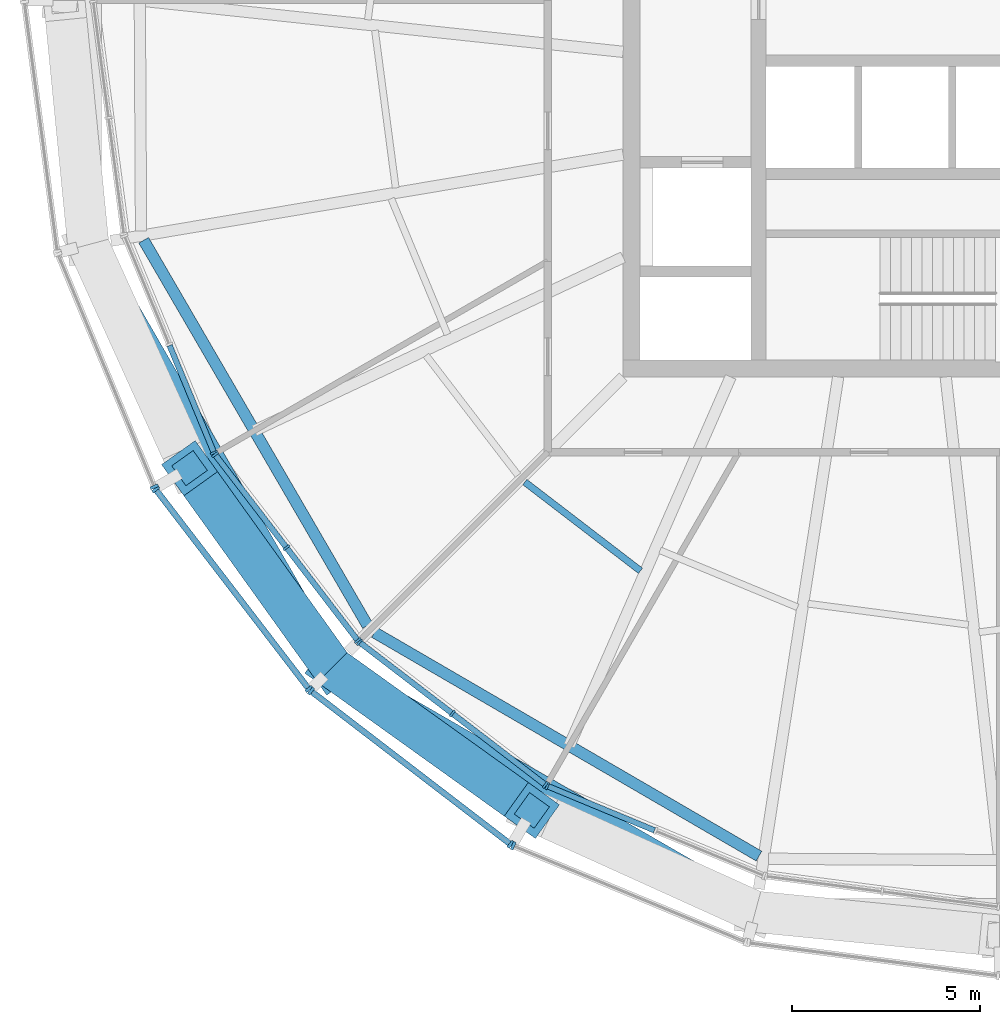
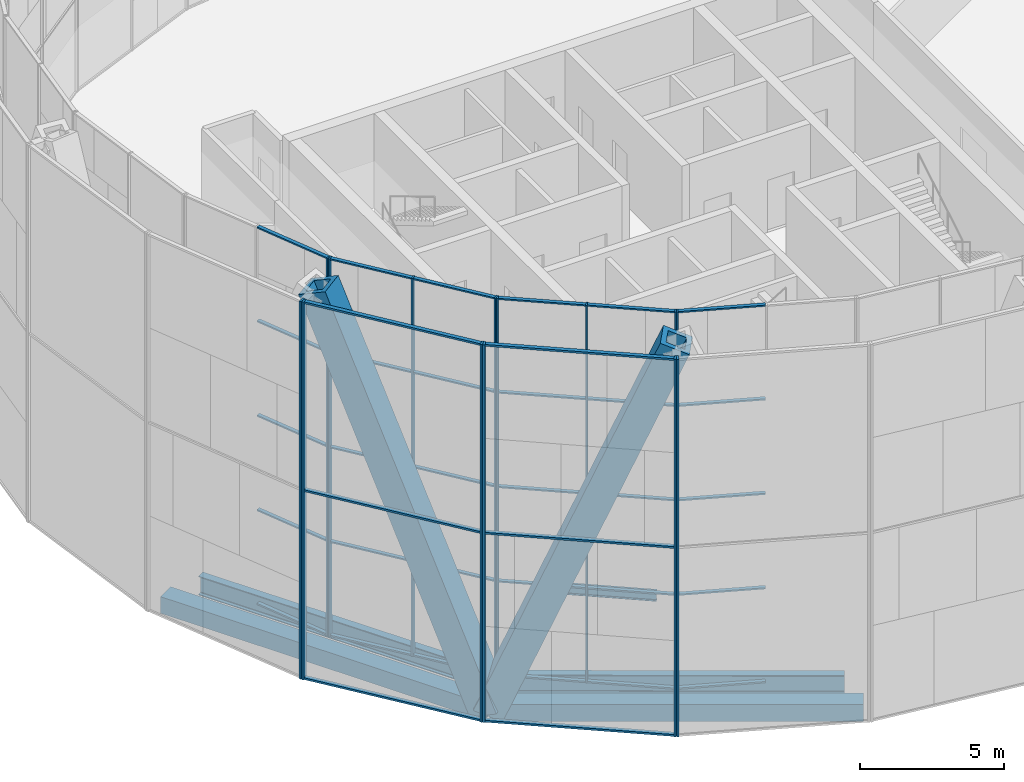
# One storey, part 1 of 30: 52 members, 5 beams, 8 elements without a shape of their own.
"""IFC4 building model written with IfcOpenShell, lengths in metres."""

from ifc_helpers import new_model, si_unit, direction, frame, origin, origin_2d, place, context, subcontext, project, spatial, rectangle, hollow_rectangle, i_section, extrude, material, material_profile, profile_set, type_object, element, aggregate, save


model = new_model("IFC4")

# Units and contexts
model_context = context("Model", 3, precision=1e-05, world=origin(), true_north=direction((0.0, 1.0)))
body_context = subcontext(model_context, "Body", "Model", "MODEL_VIEW")
ifc_project = project(units=[si_unit("LENGTHUNIT", "METRE"), si_unit("AREAUNIT", "SQUARE_METRE"), si_unit("VOLUMEUNIT", "CUBIC_METRE"), si_unit("PLANEANGLEUNIT", "RADIAN"), si_unit("MASSUNIT", "GRAM", prefix="KILO")], contexts=[model_context])

# Site, building, storey
site_placement = place(None, origin())
site = spatial("IfcSite", under=ifc_project, at=site_placement, CompositionType="ELEMENT")
building_placement = place(site_placement, origin())
building = spatial("IfcBuilding", under=site, at=building_placement, Name="Golbaran Civic Tower", CompositionType="ELEMENT")
storey_placement = place(building_placement, frame((0.0, 0.0, 167.0)))
storey = spatial("IfcBuildingStorey", under=building, at=storey_placement, Name="L40", CompositionType="ELEMENT", Elevation=167.0)

# Members
ifc_material_1 = material(Name="Steel S355", Category="steel")
ifc_material_profile_1 = material_profile(ifc_material_1, hollow_rectangle(XDim=1.10009765625, YDim=1.10009765625, WallThickness=0.199951171875, at=origin_2d()), Name="BOX 1100x1100x200")
ifc_profile_set_1 = profile_set([ifc_material_profile_1], Name="Steel S355")
member_type_1 = type_object("IfcMemberType", Name="DIAGRID DIAGONAL BOX 1100x1100x200", PredefinedType="BRACE", material=ifc_profile_set_1)
for number, where, z_axis, x_axis, name in (
    (1, (-17.72216796875, -17.72216796875, -0.7099609375), (0.306689856884, -0.21971220084, 0.926103601379), (0.582374990121, 0.812920273386, 0.0), "Diagonal D09-07R L40-L44"),
    (2, (-17.72216796875, -17.72216796875, -0.7099609375), (-0.21971220084, 0.306689856884, 0.926103601379), (-0.812920273386, -0.582374990121, 0.0), "Diagonal D09-07L L40-L44"),
):
    element("IfcMember", number, at=place(storey_placement, frame(where, z_axis=z_axis, x_axis=x_axis)), inside=storey, type_object=member_type_1, Name=name, PredefinedType="BRACE", context=body_context, shape_type="SweptSolid", body=[
        extrude(hollow_rectangle(XDim=1.10009765625, YDim=1.10009765625, WallThickness=0.199951171875, at=origin_2d()), origin(), (0.0, 0.0, 1.0), 17.276611328125),
    ])

# Beams
ifc_material_profile_2 = material_profile(ifc_material_1, hollow_rectangle(XDim=0.699951171875, YDim=0.699951171875, WallThickness=0.080078125, at=origin_2d()), Name="BOX 700x700x80")
ifc_profile_set_2 = profile_set([ifc_material_profile_2], Name="Steel S355")
beam_type_1 = type_object("IfcBeamType", Name="DIAGRID RING TIE BOX 700x700x80", PredefinedType="BEAM", material=ifc_profile_set_2)
for number, where, z_axis, x_axis, name in (
    (3, (-24.208984375, -6.48681640625, -0.7099609375), (0.50000480732, -0.866022628259, 0.0), (0.866022628259, 0.50000480732, 0.0), "Ring tie 195.00 L40"),
    (4, (-17.72216796875, -17.72216796875, -0.7099609375), (0.866022628259, -0.50000480732, 0.0), (0.50000480732, 0.866022628259, 0.0), "Ring tie 225.00 L40"),
):
    element("IfcBeam", number, at=place(storey_placement, frame(where, z_axis=z_axis, x_axis=x_axis)), inside=storey, type_object=beam_type_1, Name=name, PredefinedType="BEAM", context=body_context, shape_type="SweptSolid", body=[
        extrude(hollow_rectangle(XDim=0.699951171875, YDim=0.699951171875, WallThickness=0.080078125, at=origin_2d()), origin(), (0.0, 0.0, 1.0), 12.973388671875),
    ])
ifc_material_profile_3 = material_profile(ifc_material_1, i_section(OverallWidth=0.300048828125, OverallDepth=0.800048828125, WebThickness=0.017578125, FlangeThickness=0.032958984375, FilletRadius=0.030029296875, at=origin_2d()), Name="HEB 800")
ifc_profile_set_3 = profile_set([ifc_material_profile_3], Name="Steel S355")
beam_type_2 = type_object("IfcBeamType", Name="EDGE BEAM HEB 800", PredefinedType="BEAM", material=ifc_profile_set_3)
beam_1_placement = place(storey_placement, frame((-22.736083984375, -6.370361328125, -0.60009765625), z_axis=(0.502449452152, -0.864606585698, 0.0), x_axis=(0.864606585698, 0.502449452152, 0.0)))
element("IfcBeam", 5, at=beam_1_placement, inside=storey, type_object=beam_type_2, Name="Edge beam 195.00 L40", PredefinedType="BEAM", context=body_context, shape_type="SweptSolid", body=[
    extrude(i_section(OverallWidth=0.300048828125, OverallDepth=0.800048828125, WebThickness=0.017578125, FlangeThickness=0.032958984375, FilletRadius=0.030029296875, at=origin_2d()), origin(), (0.0, 0.0, 1.0), 11.8369140625),
])
beam_2_placement = place(storey_placement, frame((-16.604736328125, -16.78857421875, -0.60009765625), z_axis=(0.864397150996, -0.502809671098, 0.0), x_axis=(0.502809671098, 0.864397150996, 0.0)))
element("IfcBeam", 6, at=beam_2_placement, inside=storey, type_object=beam_type_2, Name="Edge beam 225.00 L40", PredefinedType="BEAM", context=body_context, shape_type="SweptSolid", body=[
    extrude(i_section(OverallWidth=0.300048828125, OverallDepth=0.800048828125, WebThickness=0.017578125, FlangeThickness=0.032958984375, FilletRadius=0.030029296875, at=origin_2d()), origin(), (0.0, 0.0, 1.0), 11.81787109375),
])
ifc_material_profile_4 = material_profile(ifc_material_1, i_section(OverallWidth=0.179931640625, OverallDepth=0.39990234375, WebThickness=0.008544921875, FlangeThickness=0.013427734375, FilletRadius=0.02099609375, at=origin_2d()), Name="IPE 400")
ifc_profile_set_4 = profile_set([ifc_material_profile_4], Name="Steel S355")
beam_type_3 = type_object("IfcBeamType", Name="FLOOR INFILL BEAM IPE 400", PredefinedType="BEAM", material=ifc_profile_set_4)
beam_3_placement = place(storey_placement, frame((-12.610107421875, -12.7939453125, -0.39990234375), z_axis=(0.793375902888, -0.608732023732, 0.0), x_axis=(0.608732023732, 0.793375902888, 0.0)))
element("IfcBeam", 7, at=beam_3_placement, inside=storey, type_object=beam_type_3, Name="Infill beam 232.50 L40", PredefinedType="BEAM", context=body_context, shape_type="SweptSolid", body=[
    extrude(i_section(OverallWidth=0.179931640625, OverallDepth=0.39990234375, WebThickness=0.008544921875, FlangeThickness=0.013427734375, FilletRadius=0.02099609375, at=origin_2d()), origin(), (0.0, 0.0, 1.0), 3.87158203125),
])

# Curtain wall, member
ifc_material_2 = material(Name="Aluminium and glass", Category="aluminium")
curtain_wall_type_1 = type_object("IfcCurtainWallType", Name="INNER SKIN CURTAIN WALL EXECUTIVE", PredefinedType="NOTDEFINED", material=ifc_material_2)
curtain_wall_1_placement = place(storey_placement, origin())
curtain_wall_1 = element("IfcCurtainWall", 8, at=curtain_wall_1_placement, inside=storey, type_object=curtain_wall_type_1, Name="Inner skin L40 facet 14 CW2", ObjectType="INNER SKIN", PredefinedType="USERDEFINED")
ifc_material_3 = material(Name="Aluminium", Category="aluminium")
ifc_material_profile_5 = material_profile(ifc_material_3, rectangle(XDim=0.199951171875, YDim=0.06005859375, at=origin_2d()), Name="INNER SKIN CURTAIN WALL EXECUTIVE MULLION")
ifc_profile_set_5 = profile_set([ifc_material_profile_5], Name="Aluminium")
member_type_2 = type_object("IfcMemberType", Name="INNER SKIN CURTAIN WALL EXECUTIVE MULLION", PredefinedType="MULLION", material=ifc_profile_set_5)
member_1_placement = place(storey_placement, frame((-20.867919921875, -12.013671875, 0.0), z_axis=(0.0, 0.0, 1.0), x_axis=(0.923879532471, 0.382683432462, 0.0)))
member_1 = element("IfcMember", 9, at=member_1_placement, type_object=member_type_2, Name="CW2 mullion 3", PredefinedType="MULLION", context=body_context, shape_type="SweptSolid", body=[
    extrude(rectangle(XDim=0.199951171875, YDim=0.06005859375, at=origin_2d()), origin(), (0.0, 0.0, 1.0), 16.0),
])

# Curtain wall, members
curtain_wall_2_placement = place(storey_placement, origin())
curtain_wall_2 = element("IfcCurtainWall", 10, at=curtain_wall_2_placement, inside=storey, type_object=curtain_wall_type_1, Name="Inner skin L40 facet 15 CW2", ObjectType="INNER SKIN", PredefinedType="USERDEFINED")
member_2_placement = place(storey_placement, frame((-20.838134765625, -12.065185546875, 0.0), z_axis=(0.0, 0.0, 1.0), x_axis=(0.79335334027, 0.608761429036, 0.0)))
member_2 = element("IfcMember", 11, at=member_2_placement, type_object=member_type_2, Name="CW2 mullion 1", PredefinedType="MULLION", context=body_context, shape_type="SweptSolid", body=[
    extrude(rectangle(XDim=0.199951171875, YDim=0.06005859375, at=origin_2d()), origin(), (0.0, 0.0, 1.0), 16.0),
])
member_3_placement = place(storey_placement, frame((-18.94287109375, -14.535400390625, 0.0), z_axis=(0.0, 0.0, 1.0), x_axis=(0.79335334027, 0.608761429036, 0.0)))
member_3 = element("IfcMember", 12, at=member_3_placement, type_object=member_type_2, Name="CW2 mullion 2", PredefinedType="MULLION", context=body_context, shape_type="SweptSolid", body=[
    extrude(rectangle(XDim=0.199951171875, YDim=0.06005859375, at=origin_2d()), origin(), (0.0, 0.0, 1.0), 16.0),
])
member_4_placement = place(storey_placement, frame((-17.047607421875, -17.00537109375, 0.0), z_axis=(0.0, 0.0, 1.0), x_axis=(0.79335334027, 0.608761429036, 0.0)))
member_4 = element("IfcMember", 13, at=member_4_placement, type_object=member_type_2, Name="CW2 mullion 3", PredefinedType="MULLION", context=body_context, shape_type="SweptSolid", body=[
    extrude(rectangle(XDim=0.199951171875, YDim=0.06005859375, at=origin_2d()), origin(), (0.0, 0.0, 1.0), 16.0),
])

curtain_wall_3_placement = place(storey_placement, origin())
curtain_wall_3 = element("IfcCurtainWall", 14, at=curtain_wall_3_placement, inside=storey, type_object=curtain_wall_type_1, Name="Inner skin L40 facet 16 CW2", ObjectType="INNER SKIN", PredefinedType="USERDEFINED")
member_5_placement = place(storey_placement, frame((-17.00537109375, -17.047607421875, 0.0), z_axis=(0.0, 0.0, 1.0), x_axis=(0.608761429036, 0.79335334027, 0.0)))
member_5 = element("IfcMember", 15, at=member_5_placement, type_object=member_type_2, Name="CW2 mullion 1", PredefinedType="MULLION", context=body_context, shape_type="SweptSolid", body=[
    extrude(rectangle(XDim=0.199951171875, YDim=0.06005859375, at=origin_2d()), origin(), (0.0, 0.0, 1.0), 16.0),
])
member_6_placement = place(storey_placement, frame((-14.535400390625, -18.94287109375, 0.0), z_axis=(0.0, 0.0, 1.0), x_axis=(0.608761429036, 0.79335334027, 0.0)))
member_6 = element("IfcMember", 16, at=member_6_placement, type_object=member_type_2, Name="CW2 mullion 2", PredefinedType="MULLION", context=body_context, shape_type="SweptSolid", body=[
    extrude(rectangle(XDim=0.199951171875, YDim=0.06005859375, at=origin_2d()), origin(), (0.0, 0.0, 1.0), 16.0),
])
member_7_placement = place(storey_placement, frame((-12.065185546875, -20.838134765625, 0.0), z_axis=(0.0, 0.0, 1.0), x_axis=(0.608761429036, 0.79335334027, 0.0)))
member_7 = element("IfcMember", 17, at=member_7_placement, type_object=member_type_2, Name="CW2 mullion 3", PredefinedType="MULLION", context=body_context, shape_type="SweptSolid", body=[
    extrude(rectangle(XDim=0.199951171875, YDim=0.06005859375, at=origin_2d()), origin(), (0.0, 0.0, 1.0), 16.0),
])

# Curtain wall, member
curtain_wall_4_placement = place(storey_placement, origin())
curtain_wall_4 = element("IfcCurtainWall", 18, at=curtain_wall_4_placement, inside=storey, type_object=curtain_wall_type_1, Name="Inner skin L40 facet 17 CW2", ObjectType="INNER SKIN", PredefinedType="USERDEFINED")
member_8_placement = place(storey_placement, frame((-12.013671875, -20.867919921875, 0.0), z_axis=(0.0, 0.0, 1.0), x_axis=(0.382683432462, 0.923879532471, 0.0)))
member_8 = element("IfcMember", 19, at=member_8_placement, type_object=member_type_2, Name="CW2 mullion 1", PredefinedType="MULLION", context=body_context, shape_type="SweptSolid", body=[
    extrude(rectangle(XDim=0.199951171875, YDim=0.06005859375, at=origin_2d()), origin(), (0.0, 0.0, 1.0), 16.0),
])

# Member
ifc_material_profile_6 = material_profile(ifc_material_3, rectangle(XDim=0.14990234375, YDim=0.06005859375, at=origin_2d()), Name="INNER SKIN CURTAIN WALL EXECUTIVE TRANSOM")
ifc_profile_set_6 = profile_set([ifc_material_profile_6], Name="Aluminium")
member_type_3 = type_object("IfcMemberType", Name="INNER SKIN CURTAIN WALL EXECUTIVE TRANSOM", PredefinedType="USERDEFINED", material=ifc_profile_set_6)
member_9_placement = place(storey_placement, frame((-22.0478515625, -9.1650390625, 0.030029296875), z_axis=(0.382667209253, -0.923886252177, 0.0), x_axis=(0.923886252177, 0.382667209253, 0.0)))
member_9 = element("IfcMember", 20, at=member_9_placement, type_object=member_type_3, Name="CW2 transom 2.1", ObjectType="TRANSOM", PredefinedType="USERDEFINED", context=body_context, shape_type="SweptSolid", body=[
    extrude(rectangle(XDim=0.14990234375, YDim=0.06005859375, at=origin_2d()), origin(), (0.0, 0.0, 1.0), 3.053466796875),
])

member_10_placement = place(storey_placement, frame((-22.0478515625, -9.1650390625, 4.0), z_axis=(0.382667209253, -0.923886252177, 0.0), x_axis=(0.923886252177, 0.382667209253, 0.0)))
member_10 = element("IfcMember", 21, at=member_10_placement, type_object=member_type_3, Name="CW2 transom 2.2", ObjectType="TRANSOM", PredefinedType="USERDEFINED", context=body_context, shape_type="SweptSolid", body=[
    extrude(rectangle(XDim=0.14990234375, YDim=0.06005859375, at=origin_2d()), origin(), (0.0, 0.0, 1.0), 3.053466796875),
])

member_11_placement = place(storey_placement, frame((-22.0478515625, -9.1650390625, 8.0), z_axis=(0.382667209253, -0.923886252177, 0.0), x_axis=(0.923886252177, 0.382667209253, 0.0)))
member_11 = element("IfcMember", 22, at=member_11_placement, type_object=member_type_3, Name="CW2 transom 2.3", ObjectType="TRANSOM", PredefinedType="USERDEFINED", context=body_context, shape_type="SweptSolid", body=[
    extrude(rectangle(XDim=0.14990234375, YDim=0.06005859375, at=origin_2d()), origin(), (0.0, 0.0, 1.0), 3.053466796875),
])

member_12_placement = place(storey_placement, frame((-22.0478515625, -9.1650390625, 12.0), z_axis=(0.382667209253, -0.923886252177, 0.0), x_axis=(0.923886252177, 0.382667209253, 0.0)))
member_12 = element("IfcMember", 23, at=member_12_placement, type_object=member_type_3, Name="CW2 transom 2.4", ObjectType="TRANSOM", PredefinedType="USERDEFINED", context=body_context, shape_type="SweptSolid", body=[
    extrude(rectangle(XDim=0.14990234375, YDim=0.06005859375, at=origin_2d()), origin(), (0.0, 0.0, 1.0), 3.053466796875),
])

member_13_placement = place(storey_placement, frame((-22.0478515625, -9.1650390625, 15.969970703125), z_axis=(0.382667209253, -0.923886252177, 0.0), x_axis=(0.923886252177, 0.382667209253, 0.0)))
member_13 = element("IfcMember", 24, at=member_13_placement, type_object=member_type_3, Name="CW2 transom 2.5", ObjectType="TRANSOM", PredefinedType="USERDEFINED", context=body_context, shape_type="SweptSolid", body=[
    extrude(rectangle(XDim=0.14990234375, YDim=0.06005859375, at=origin_2d()), origin(), (0.0, 0.0, 1.0), 3.053466796875),
])

aggregate(curtain_wall_1, [member_1, member_9, member_10, member_11, member_12, member_13])

member_14_placement = place(storey_placement, frame((-20.820068359375, -12.089111328125, 0.030029296875), z_axis=(0.6087906992, -0.793330879625, 0.0), x_axis=(0.793330879625, 0.6087906992, 0.0)))
member_14 = element("IfcMember", 25, at=member_14_placement, type_object=member_type_3, Name="CW2 transom 1.1", ObjectType="TRANSOM", PredefinedType="USERDEFINED", context=body_context, shape_type="SweptSolid", body=[
    extrude(rectangle(XDim=0.14990234375, YDim=0.06005859375, at=origin_2d()), origin(), (0.0, 0.0, 1.0), 3.053466796875),
])

member_15_placement = place(storey_placement, frame((-20.820068359375, -12.089111328125, 4.0), z_axis=(0.6087906992, -0.793330879625, 0.0), x_axis=(0.793330879625, 0.6087906992, 0.0)))
member_15 = element("IfcMember", 26, at=member_15_placement, type_object=member_type_3, Name="CW2 transom 1.2", ObjectType="TRANSOM", PredefinedType="USERDEFINED", context=body_context, shape_type="SweptSolid", body=[
    extrude(rectangle(XDim=0.14990234375, YDim=0.06005859375, at=origin_2d()), origin(), (0.0, 0.0, 1.0), 3.053466796875),
])

member_16_placement = place(storey_placement, frame((-20.820068359375, -12.089111328125, 8.0), z_axis=(0.6087906992, -0.793330879625, 0.0), x_axis=(0.793330879625, 0.6087906992, 0.0)))
member_16 = element("IfcMember", 27, at=member_16_placement, type_object=member_type_3, Name="CW2 transom 1.3", ObjectType="TRANSOM", PredefinedType="USERDEFINED", context=body_context, shape_type="SweptSolid", body=[
    extrude(rectangle(XDim=0.14990234375, YDim=0.06005859375, at=origin_2d()), origin(), (0.0, 0.0, 1.0), 3.053466796875),
])

member_17_placement = place(storey_placement, frame((-20.820068359375, -12.089111328125, 12.0), z_axis=(0.6087906992, -0.793330879625, 0.0), x_axis=(0.793330879625, 0.6087906992, 0.0)))
member_17 = element("IfcMember", 28, at=member_17_placement, type_object=member_type_3, Name="CW2 transom 1.4", ObjectType="TRANSOM", PredefinedType="USERDEFINED", context=body_context, shape_type="SweptSolid", body=[
    extrude(rectangle(XDim=0.14990234375, YDim=0.06005859375, at=origin_2d()), origin(), (0.0, 0.0, 1.0), 3.053466796875),
])

member_18_placement = place(storey_placement, frame((-20.820068359375, -12.089111328125, 15.969970703125), z_axis=(0.6087906992, -0.793330879625, 0.0), x_axis=(0.793330879625, 0.6087906992, 0.0)))
member_18 = element("IfcMember", 29, at=member_18_placement, type_object=member_type_3, Name="CW2 transom 1.5", ObjectType="TRANSOM", PredefinedType="USERDEFINED", context=body_context, shape_type="SweptSolid", body=[
    extrude(rectangle(XDim=0.14990234375, YDim=0.06005859375, at=origin_2d()), origin(), (0.0, 0.0, 1.0), 3.053466796875),
])

member_19_placement = place(storey_placement, frame((-18.924560546875, -14.55908203125, 0.030029296875), z_axis=(0.60875208402, -0.793360510866, 0.0), x_axis=(0.793360510866, 0.60875208402, 0.0)))
member_19 = element("IfcMember", 30, at=member_19_placement, type_object=member_type_3, Name="CW2 transom 2.1", ObjectType="TRANSOM", PredefinedType="USERDEFINED", context=body_context, shape_type="SweptSolid", body=[
    extrude(rectangle(XDim=0.14990234375, YDim=0.06005859375, at=origin_2d()), origin(), (0.0, 0.0, 1.0), 3.0537109375),
])

member_20_placement = place(storey_placement, frame((-18.924560546875, -14.55908203125, 4.0), z_axis=(0.60875208402, -0.793360510866, 0.0), x_axis=(0.793360510866, 0.60875208402, 0.0)))
member_20 = element("IfcMember", 31, at=member_20_placement, type_object=member_type_3, Name="CW2 transom 2.2", ObjectType="TRANSOM", PredefinedType="USERDEFINED", context=body_context, shape_type="SweptSolid", body=[
    extrude(rectangle(XDim=0.14990234375, YDim=0.06005859375, at=origin_2d()), origin(), (0.0, 0.0, 1.0), 3.0537109375),
])

member_21_placement = place(storey_placement, frame((-18.924560546875, -14.55908203125, 8.0), z_axis=(0.60875208402, -0.793360510866, 0.0), x_axis=(0.793360510866, 0.60875208402, 0.0)))
member_21 = element("IfcMember", 32, at=member_21_placement, type_object=member_type_3, Name="CW2 transom 2.3", ObjectType="TRANSOM", PredefinedType="USERDEFINED", context=body_context, shape_type="SweptSolid", body=[
    extrude(rectangle(XDim=0.14990234375, YDim=0.06005859375, at=origin_2d()), origin(), (0.0, 0.0, 1.0), 3.0537109375),
])

member_22_placement = place(storey_placement, frame((-18.924560546875, -14.55908203125, 12.0), z_axis=(0.60875208402, -0.793360510866, 0.0), x_axis=(0.793360510866, 0.60875208402, 0.0)))
member_22 = element("IfcMember", 33, at=member_22_placement, type_object=member_type_3, Name="CW2 transom 2.4", ObjectType="TRANSOM", PredefinedType="USERDEFINED", context=body_context, shape_type="SweptSolid", body=[
    extrude(rectangle(XDim=0.14990234375, YDim=0.06005859375, at=origin_2d()), origin(), (0.0, 0.0, 1.0), 3.0537109375),
])

member_23_placement = place(storey_placement, frame((-18.924560546875, -14.55908203125, 15.969970703125), z_axis=(0.60875208402, -0.793360510866, 0.0), x_axis=(0.793360510866, 0.60875208402, 0.0)))
member_23 = element("IfcMember", 34, at=member_23_placement, type_object=member_type_3, Name="CW2 transom 2.5", ObjectType="TRANSOM", PredefinedType="USERDEFINED", context=body_context, shape_type="SweptSolid", body=[
    extrude(rectangle(XDim=0.14990234375, YDim=0.06005859375, at=origin_2d()), origin(), (0.0, 0.0, 1.0), 3.0537109375),
])

aggregate(curtain_wall_2, [member_2, member_3, member_4, member_14, member_15, member_16, member_17, member_18, member_19, member_20, member_21, member_22, member_23])

member_24_placement = place(storey_placement, frame((-16.981689453125, -17.065673828125, 0.030029296875), z_axis=(0.793360510866, -0.60875208402, 0.0), x_axis=(0.60875208402, 0.793360510866, 0.0)))
member_24 = element("IfcMember", 35, at=member_24_placement, type_object=member_type_3, Name="CW2 transom 1.1", ObjectType="TRANSOM", PredefinedType="USERDEFINED", context=body_context, shape_type="SweptSolid", body=[
    extrude(rectangle(XDim=0.14990234375, YDim=0.06005859375, at=origin_2d()), origin(), (0.0, 0.0, 1.0), 3.0537109375),
])

member_25_placement = place(storey_placement, frame((-16.981689453125, -17.065673828125, 4.0), z_axis=(0.793360510866, -0.60875208402, 0.0), x_axis=(0.60875208402, 0.793360510866, 0.0)))
member_25 = element("IfcMember", 36, at=member_25_placement, type_object=member_type_3, Name="CW2 transom 1.2", ObjectType="TRANSOM", PredefinedType="USERDEFINED", context=body_context, shape_type="SweptSolid", body=[
    extrude(rectangle(XDim=0.14990234375, YDim=0.06005859375, at=origin_2d()), origin(), (0.0, 0.0, 1.0), 3.0537109375),
])

member_26_placement = place(storey_placement, frame((-16.981689453125, -17.065673828125, 8.0), z_axis=(0.793360510866, -0.60875208402, 0.0), x_axis=(0.60875208402, 0.793360510866, 0.0)))
member_26 = element("IfcMember", 37, at=member_26_placement, type_object=member_type_3, Name="CW2 transom 1.3", ObjectType="TRANSOM", PredefinedType="USERDEFINED", context=body_context, shape_type="SweptSolid", body=[
    extrude(rectangle(XDim=0.14990234375, YDim=0.06005859375, at=origin_2d()), origin(), (0.0, 0.0, 1.0), 3.0537109375),
])

member_27_placement = place(storey_placement, frame((-16.981689453125, -17.065673828125, 12.0), z_axis=(0.793360510866, -0.60875208402, 0.0), x_axis=(0.60875208402, 0.793360510866, 0.0)))
member_27 = element("IfcMember", 38, at=member_27_placement, type_object=member_type_3, Name="CW2 transom 1.4", ObjectType="TRANSOM", PredefinedType="USERDEFINED", context=body_context, shape_type="SweptSolid", body=[
    extrude(rectangle(XDim=0.14990234375, YDim=0.06005859375, at=origin_2d()), origin(), (0.0, 0.0, 1.0), 3.0537109375),
])

member_28_placement = place(storey_placement, frame((-16.981689453125, -17.065673828125, 15.969970703125), z_axis=(0.793360510866, -0.60875208402, 0.0), x_axis=(0.60875208402, 0.793360510866, 0.0)))
member_28 = element("IfcMember", 39, at=member_28_placement, type_object=member_type_3, Name="CW2 transom 1.5", ObjectType="TRANSOM", PredefinedType="USERDEFINED", context=body_context, shape_type="SweptSolid", body=[
    extrude(rectangle(XDim=0.14990234375, YDim=0.06005859375, at=origin_2d()), origin(), (0.0, 0.0, 1.0), 3.0537109375),
])

member_29_placement = place(storey_placement, frame((-14.511474609375, -18.961181640625, 0.030029296875), z_axis=(0.793330879625, -0.6087906992, 0.0), x_axis=(0.6087906992, 0.793330879625, 0.0)))
member_29 = element("IfcMember", 40, at=member_29_placement, type_object=member_type_3, Name="CW2 transom 2.1", ObjectType="TRANSOM", PredefinedType="USERDEFINED", context=body_context, shape_type="SweptSolid", body=[
    extrude(rectangle(XDim=0.14990234375, YDim=0.06005859375, at=origin_2d()), origin(), (0.0, 0.0, 1.0), 3.053466796875),
])

member_30_placement = place(storey_placement, frame((-14.511474609375, -18.961181640625, 4.0), z_axis=(0.793330879625, -0.6087906992, 0.0), x_axis=(0.6087906992, 0.793330879625, 0.0)))
member_30 = element("IfcMember", 41, at=member_30_placement, type_object=member_type_3, Name="CW2 transom 2.2", ObjectType="TRANSOM", PredefinedType="USERDEFINED", context=body_context, shape_type="SweptSolid", body=[
    extrude(rectangle(XDim=0.14990234375, YDim=0.06005859375, at=origin_2d()), origin(), (0.0, 0.0, 1.0), 3.053466796875),
])

member_31_placement = place(storey_placement, frame((-14.511474609375, -18.961181640625, 8.0), z_axis=(0.793330879625, -0.6087906992, 0.0), x_axis=(0.6087906992, 0.793330879625, 0.0)))
member_31 = element("IfcMember", 42, at=member_31_placement, type_object=member_type_3, Name="CW2 transom 2.3", ObjectType="TRANSOM", PredefinedType="USERDEFINED", context=body_context, shape_type="SweptSolid", body=[
    extrude(rectangle(XDim=0.14990234375, YDim=0.06005859375, at=origin_2d()), origin(), (0.0, 0.0, 1.0), 3.053466796875),
])

member_32_placement = place(storey_placement, frame((-14.511474609375, -18.961181640625, 12.0), z_axis=(0.793330879625, -0.6087906992, 0.0), x_axis=(0.6087906992, 0.793330879625, 0.0)))
member_32 = element("IfcMember", 43, at=member_32_placement, type_object=member_type_3, Name="CW2 transom 2.4", ObjectType="TRANSOM", PredefinedType="USERDEFINED", context=body_context, shape_type="SweptSolid", body=[
    extrude(rectangle(XDim=0.14990234375, YDim=0.06005859375, at=origin_2d()), origin(), (0.0, 0.0, 1.0), 3.053466796875),
])

member_33_placement = place(storey_placement, frame((-14.511474609375, -18.961181640625, 15.969970703125), z_axis=(0.793330879625, -0.6087906992, 0.0), x_axis=(0.6087906992, 0.793330879625, 0.0)))
member_33 = element("IfcMember", 44, at=member_33_placement, type_object=member_type_3, Name="CW2 transom 2.5", ObjectType="TRANSOM", PredefinedType="USERDEFINED", context=body_context, shape_type="SweptSolid", body=[
    extrude(rectangle(XDim=0.14990234375, YDim=0.06005859375, at=origin_2d()), origin(), (0.0, 0.0, 1.0), 3.053466796875),
])

aggregate(curtain_wall_3, [member_5, member_6, member_7, member_24, member_25, member_26, member_27, member_28, member_29, member_30, member_31, member_32, member_33])

member_34_placement = place(storey_placement, frame((-11.986083984375, -20.87939453125, 0.030029296875), z_axis=(0.923886252177, -0.382667209253, 0.0), x_axis=(0.382667209253, 0.923886252177, 0.0)))
member_34 = element("IfcMember", 45, at=member_34_placement, type_object=member_type_3, Name="CW2 transom 1.1", ObjectType="TRANSOM", PredefinedType="USERDEFINED", context=body_context, shape_type="SweptSolid", body=[
    extrude(rectangle(XDim=0.14990234375, YDim=0.06005859375, at=origin_2d()), origin(), (0.0, 0.0, 1.0), 3.053466796875),
])

member_35_placement = place(storey_placement, frame((-11.986083984375, -20.87939453125, 4.0), z_axis=(0.923886252177, -0.382667209253, 0.0), x_axis=(0.382667209253, 0.923886252177, 0.0)))
member_35 = element("IfcMember", 46, at=member_35_placement, type_object=member_type_3, Name="CW2 transom 1.2", ObjectType="TRANSOM", PredefinedType="USERDEFINED", context=body_context, shape_type="SweptSolid", body=[
    extrude(rectangle(XDim=0.14990234375, YDim=0.06005859375, at=origin_2d()), origin(), (0.0, 0.0, 1.0), 3.053466796875),
])

member_36_placement = place(storey_placement, frame((-11.986083984375, -20.87939453125, 8.0), z_axis=(0.923886252177, -0.382667209253, 0.0), x_axis=(0.382667209253, 0.923886252177, 0.0)))
member_36 = element("IfcMember", 47, at=member_36_placement, type_object=member_type_3, Name="CW2 transom 1.3", ObjectType="TRANSOM", PredefinedType="USERDEFINED", context=body_context, shape_type="SweptSolid", body=[
    extrude(rectangle(XDim=0.14990234375, YDim=0.06005859375, at=origin_2d()), origin(), (0.0, 0.0, 1.0), 3.053466796875),
])

member_37_placement = place(storey_placement, frame((-11.986083984375, -20.87939453125, 12.0), z_axis=(0.923886252177, -0.382667209253, 0.0), x_axis=(0.382667209253, 0.923886252177, 0.0)))
member_37 = element("IfcMember", 48, at=member_37_placement, type_object=member_type_3, Name="CW2 transom 1.4", ObjectType="TRANSOM", PredefinedType="USERDEFINED", context=body_context, shape_type="SweptSolid", body=[
    extrude(rectangle(XDim=0.14990234375, YDim=0.06005859375, at=origin_2d()), origin(), (0.0, 0.0, 1.0), 3.053466796875),
])

member_38_placement = place(storey_placement, frame((-11.986083984375, -20.87939453125, 15.969970703125), z_axis=(0.923886252177, -0.382667209253, 0.0), x_axis=(0.382667209253, 0.923886252177, 0.0)))
member_38 = element("IfcMember", 49, at=member_38_placement, type_object=member_type_3, Name="CW2 transom 1.5", ObjectType="TRANSOM", PredefinedType="USERDEFINED", context=body_context, shape_type="SweptSolid", body=[
    extrude(rectangle(XDim=0.14990234375, YDim=0.06005859375, at=origin_2d()), origin(), (0.0, 0.0, 1.0), 3.053466796875),
])

aggregate(curtain_wall_4, [member_8, member_34, member_35, member_36, member_37, member_38])

# Curtain wall, member
curtain_wall_type_2 = type_object("IfcCurtainWallType", Name="OUTER SKIN TERRACOTTA SCREEN", PredefinedType="NOTDEFINED", material=ifc_material_2)
curtain_wall_5_placement = place(storey_placement, origin())
curtain_wall_5 = element("IfcCurtainWall", 50, at=curtain_wall_5_placement, inside=storey, type_object=curtain_wall_type_2, Name="Outer skin L40 facet 14 CW3", ObjectType="OUTER SKIN", PredefinedType="USERDEFINED")
ifc_material_profile_7 = material_profile(ifc_material_3, rectangle(XDim=0.219970703125, YDim=0.080078125, at=origin_2d()), Name="OUTER SKIN TERRACOTTA SCREEN MULLION")
ifc_profile_set_7 = profile_set([ifc_material_profile_7], Name="Aluminium")
member_type_4 = type_object("IfcMemberType", Name="OUTER SKIN TERRACOTTA SCREEN MULLION", PredefinedType="MULLION", material=ifc_profile_set_7)
member_39_placement = place(storey_placement, frame((-22.45654296875, -12.91943359375, -0.7099609375), z_axis=(0.0, 0.0, 1.0), x_axis=(0.923879532471, 0.382683432462, 0.0)))
member_39 = element("IfcMember", 51, at=member_39_placement, type_object=member_type_4, Name="CW3 mullion 2", PredefinedType="MULLION", context=body_context, shape_type="SweptSolid", body=[
    extrude(rectangle(XDim=0.219970703125, YDim=0.080078125, at=origin_2d()), origin(), (0.0, 0.0, 1.0), 16.0),
])
aggregate(curtain_wall_5, [member_39])

# Curtain wall, members
curtain_wall_6_placement = place(storey_placement, origin())
curtain_wall_6 = element("IfcCurtainWall", 52, at=curtain_wall_6_placement, inside=storey, type_object=curtain_wall_type_2, Name="Outer skin L40 facet 15 CW3", ObjectType="OUTER SKIN", PredefinedType="USERDEFINED")
member_40_placement = place(storey_placement, frame((-22.4169921875, -12.98828125, -0.7099609375), z_axis=(0.0, 0.0, 1.0), x_axis=(0.793353340323, 0.608761428967, 0.0)))
member_40 = element("IfcMember", 53, at=member_40_placement, type_object=member_type_4, Name="CW3 mullion 1", PredefinedType="MULLION", context=body_context, shape_type="SweptSolid", body=[
    extrude(rectangle(XDim=0.219970703125, YDim=0.080078125, at=origin_2d()), origin(), (0.0, 0.0, 1.0), 16.0),
])
member_41_placement = place(storey_placement, frame((-18.34765625, -18.29150390625, -0.7099609375), z_axis=(0.0, 0.0, 1.0), x_axis=(0.793353340323, 0.608761428967, 0.0)))
member_41 = element("IfcMember", 54, at=member_41_placement, type_object=member_type_4, Name="CW3 mullion 2", PredefinedType="MULLION", context=body_context, shape_type="SweptSolid", body=[
    extrude(rectangle(XDim=0.219970703125, YDim=0.080078125, at=origin_2d()), origin(), (0.0, 0.0, 1.0), 16.0),
])

curtain_wall_7_placement = place(storey_placement, origin())
curtain_wall_7 = element("IfcCurtainWall", 55, at=curtain_wall_7_placement, inside=storey, type_object=curtain_wall_type_2, Name="Outer skin L40 facet 16 CW3", ObjectType="OUTER SKIN", PredefinedType="USERDEFINED")
member_42_placement = place(storey_placement, frame((-18.29150390625, -18.34765625, -0.7099609375), z_axis=(0.0, 0.0, 1.0), x_axis=(0.608761428967, 0.793353340323, 0.0)))
member_42 = element("IfcMember", 56, at=member_42_placement, type_object=member_type_4, Name="CW3 mullion 1", PredefinedType="MULLION", context=body_context, shape_type="SweptSolid", body=[
    extrude(rectangle(XDim=0.219970703125, YDim=0.080078125, at=origin_2d()), origin(), (0.0, 0.0, 1.0), 16.0),
])
member_43_placement = place(storey_placement, frame((-12.98828125, -22.4169921875, -0.7099609375), z_axis=(0.0, 0.0, 1.0), x_axis=(0.608761428967, 0.793353340323, 0.0)))
member_43 = element("IfcMember", 57, at=member_43_placement, type_object=member_type_4, Name="CW3 mullion 2", PredefinedType="MULLION", context=body_context, shape_type="SweptSolid", body=[
    extrude(rectangle(XDim=0.219970703125, YDim=0.080078125, at=origin_2d()), origin(), (0.0, 0.0, 1.0), 16.0),
])

# Curtain wall, member
curtain_wall_8_placement = place(storey_placement, origin())
curtain_wall_8 = element("IfcCurtainWall", 58, at=curtain_wall_8_placement, inside=storey, type_object=curtain_wall_type_2, Name="Outer skin L40 facet 17 CW3", ObjectType="OUTER SKIN", PredefinedType="USERDEFINED")
member_44_placement = place(storey_placement, frame((-12.91943359375, -22.45654296875, -0.7099609375), z_axis=(0.0, 0.0, 1.0), x_axis=(0.382683432462, 0.923879532471, 0.0)))
member_44 = element("IfcMember", 59, at=member_44_placement, type_object=member_type_4, Name="CW3 mullion 1", PredefinedType="MULLION", context=body_context, shape_type="SweptSolid", body=[
    extrude(rectangle(XDim=0.219970703125, YDim=0.080078125, at=origin_2d()), origin(), (0.0, 0.0, 1.0), 16.0),
])
aggregate(curtain_wall_8, [member_44])

# Member
ifc_material_profile_8 = material_profile(ifc_material_3, rectangle(XDim=0.159912109375, YDim=0.080078125, at=origin_2d()), Name="OUTER SKIN TERRACOTTA SCREEN TRANSOM")
ifc_profile_set_8 = profile_set([ifc_material_profile_8], Name="Aluminium")
member_type_5 = type_object("IfcMemberType", Name="OUTER SKIN TERRACOTTA SCREEN TRANSOM", PredefinedType="USERDEFINED", material=ifc_profile_set_8)
member_45_placement = place(storey_placement, frame((-22.392578125, -13.02001953125, -0.669921875), z_axis=(0.608752778069, -0.793359978316, 0.0), x_axis=(0.793359978316, 0.608752778069, 0.0)))
member_45 = element("IfcMember", 60, at=member_45_placement, type_object=member_type_5, Name="CW3 transom 1.1", ObjectType="TRANSOM", PredefinedType="USERDEFINED", context=body_context, shape_type="SweptSolid", body=[
    extrude(rectangle(XDim=0.159912109375, YDim=0.080078125, at=origin_2d()), origin(), (0.0, 0.0, 1.0), 6.6044921875),
])

member_46_placement = place(storey_placement, frame((-22.392578125, -13.02001953125, 7.2900390625), z_axis=(0.608752778069, -0.793359978316, 0.0), x_axis=(0.793359978316, 0.608752778069, 0.0)))
member_46 = element("IfcMember", 61, at=member_46_placement, type_object=member_type_5, Name="CW3 transom 1.2", ObjectType="TRANSOM", PredefinedType="USERDEFINED", context=body_context, shape_type="SweptSolid", body=[
    extrude(rectangle(XDim=0.159912109375, YDim=0.080078125, at=origin_2d()), origin(), (0.0, 0.0, 1.0), 6.6044921875),
])

member_47_placement = place(storey_placement, frame((-22.392578125, -13.02001953125, 15.25), z_axis=(0.608752778069, -0.793359978316, 0.0), x_axis=(0.793359978316, 0.608752778069, 0.0)))
member_47 = element("IfcMember", 62, at=member_47_placement, type_object=member_type_5, Name="CW3 transom 1.3", ObjectType="TRANSOM", PredefinedType="USERDEFINED", context=body_context, shape_type="SweptSolid", body=[
    extrude(rectangle(XDim=0.159912109375, YDim=0.080078125, at=origin_2d()), origin(), (0.0, 0.0, 1.0), 6.6044921875),
])

aggregate(curtain_wall_6, [member_40, member_41, member_45, member_46, member_47])

member_48_placement = place(storey_placement, frame((-18.259765625, -18.3720703125, -0.669921875), z_axis=(0.793359978316, -0.608752778069, 0.0), x_axis=(0.608752778069, 0.793359978316, 0.0)))
member_48 = element("IfcMember", 63, at=member_48_placement, type_object=member_type_5, Name="CW3 transom 1.1", ObjectType="TRANSOM", PredefinedType="USERDEFINED", context=body_context, shape_type="SweptSolid", body=[
    extrude(rectangle(XDim=0.159912109375, YDim=0.080078125, at=origin_2d()), origin(), (0.0, 0.0, 1.0), 6.6044921875),
])

member_49_placement = place(storey_placement, frame((-18.259765625, -18.3720703125, 7.2900390625), z_axis=(0.793359978316, -0.608752778069, 0.0), x_axis=(0.608752778069, 0.793359978316, 0.0)))
member_49 = element("IfcMember", 64, at=member_49_placement, type_object=member_type_5, Name="CW3 transom 1.2", ObjectType="TRANSOM", PredefinedType="USERDEFINED", context=body_context, shape_type="SweptSolid", body=[
    extrude(rectangle(XDim=0.159912109375, YDim=0.080078125, at=origin_2d()), origin(), (0.0, 0.0, 1.0), 6.6044921875),
])

member_50_placement = place(storey_placement, frame((-18.259765625, -18.3720703125, 15.25), z_axis=(0.793359978316, -0.608752778069, 0.0), x_axis=(0.608752778069, 0.793359978316, 0.0)))
member_50 = element("IfcMember", 65, at=member_50_placement, type_object=member_type_5, Name="CW3 transom 1.3", ObjectType="TRANSOM", PredefinedType="USERDEFINED", context=body_context, shape_type="SweptSolid", body=[
    extrude(rectangle(XDim=0.159912109375, YDim=0.080078125, at=origin_2d()), origin(), (0.0, 0.0, 1.0), 6.6044921875),
])

aggregate(curtain_wall_7, [member_42, member_43, member_48, member_49, member_50])

save(model, "model.ifc")
